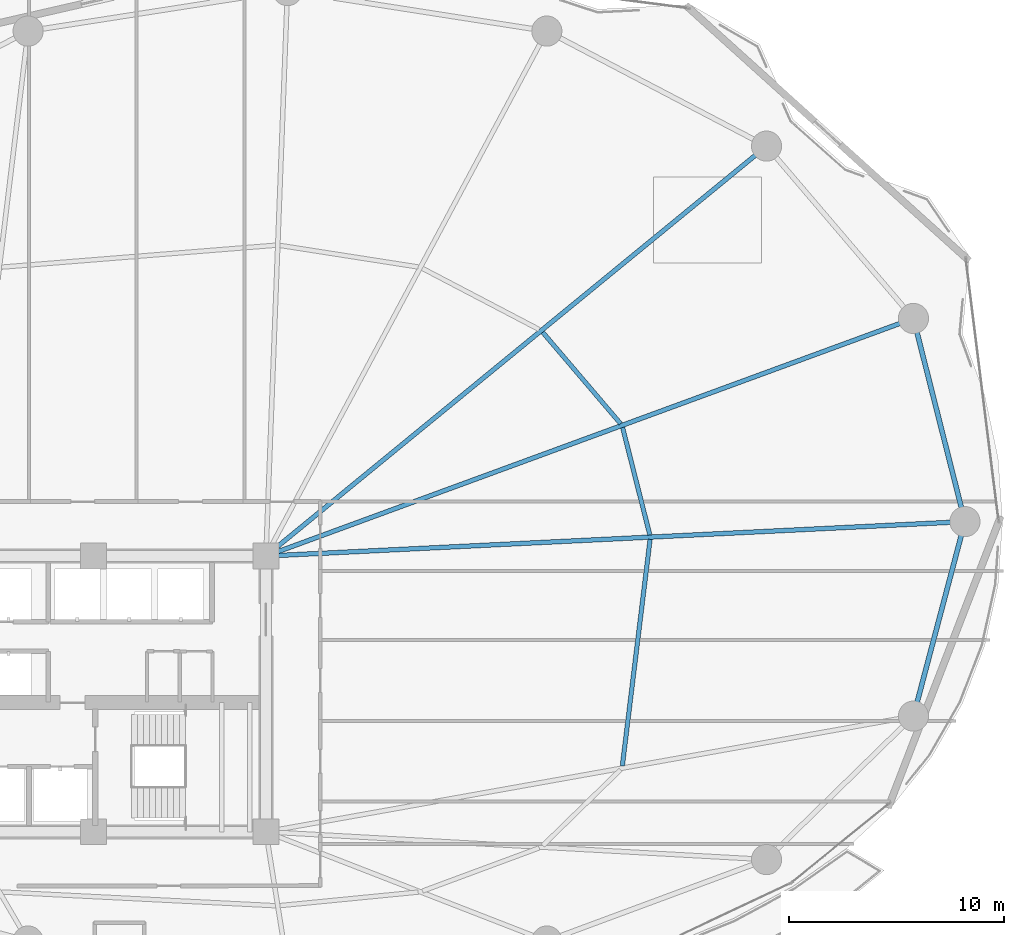
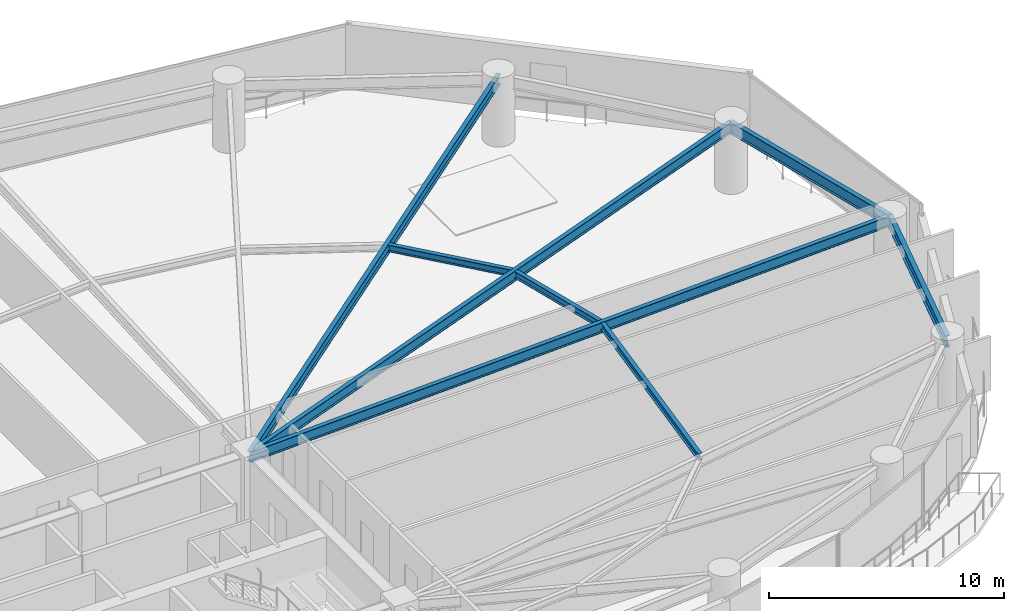
# One storey, part 16 of 30: 8 beams.
"""IFC4 building model written with IfcOpenShell, lengths in metres."""

from ifc_helpers import new_model, si_unit, direction, frame, origin, origin_2d, place, context, subcontext, project, spatial, i_section, extrude, material, material_profile, profile_set, type_object, element, save


model = new_model("IFC4")

# Units and contexts
model_context = context("Model", 3, precision=1e-05, world=origin(), true_north=direction((0.0, 1.0)))
body_context = subcontext(model_context, "Body", "Model", "MODEL_VIEW")
ifc_project = project(units=[si_unit("LENGTHUNIT", "METRE"), si_unit("AREAUNIT", "SQUARE_METRE"), si_unit("VOLUMEUNIT", "CUBIC_METRE"), si_unit("PLANEANGLEUNIT", "RADIAN"), si_unit("MASSUNIT", "GRAM", prefix="KILO")], contexts=[model_context])

# Site, building, storey
site_placement = place(None, origin())
site = spatial("IfcSite", under=ifc_project, at=site_placement, CompositionType="ELEMENT")
building_placement = place(site_placement, origin())
building = spatial("IfcBuilding", under=site, at=building_placement, Name="Kazevale Care Tower and Concert Hall", CompositionType="ELEMENT")
storey_placement = place(building_placement, frame((0.0, 0.0, 70.800048828125)))
storey = spatial("IfcBuildingStorey", under=building, at=storey_placement, Name="L18", CompositionType="ELEMENT", Elevation=70.800048828125)

# Beams
ifc_material = material(Name="Steel ASTM A572 Gr 50", Category="steel")
ifc_material_profile_1 = material_profile(ifc_material, i_section(OverallWidth=0.2119140625, OverallDepth=0.5439453125, WebThickness=0.01318359375, FlangeThickness=0.021240234375, at=origin_2d()), Name="W530x123")
ifc_profile_set_1 = profile_set([ifc_material_profile_1], Name="Steel ASTM A572 Gr 50")
beam_type_1 = type_object("IfcBeamType", Name="Radial Floor Girder W530x123", PredefinedType="BEAM", material=ifc_profile_set_1)
beam_1_placement = place(storey_placement, frame((44.0, 36.39990234375, 3.087890625), z_axis=(0.998786488782, 0.049249871327, 0.0), x_axis=(-0.049249871327, 0.998786488782, 0.0)))
element("IfcBeam", 1, at=beam_1_placement, inside=storey, type_object=beam_type_1, Name="beam:L18:rad:01", PredefinedType="BEAM", context=body_context, shape_type="SweptSolid", body=[
    extrude(i_section(OverallWidth=0.2119140625, OverallDepth=0.5439453125, WebThickness=0.01318359375, FlangeThickness=0.021240234375, at=origin_2d()), origin(), (0.0, 0.0, 1.0), 32.4892578125),
])
beam_2_placement = place(storey_placement, frame((44.0, 36.39990234375, 3.087890625), z_axis=(0.938795458019, 0.34447509054, 0.0), x_axis=(-0.34447509054, 0.938795458019, 0.0)))
element("IfcBeam", 2, at=beam_2_placement, inside=storey, type_object=beam_type_1, Name="beam:L18:rad:02", PredefinedType="BEAM", context=body_context, shape_type="SweptSolid", body=[
    extrude(i_section(OverallWidth=0.2119140625, OverallDepth=0.5439453125, WebThickness=0.01318359375, FlangeThickness=0.021240234375, at=origin_2d()), origin(), (0.0, 0.0, 1.0), 32.019775390625),
])
beam_3_placement = place(storey_placement, frame((44.0, 36.39990234375, 3.087890625), z_axis=(0.773704467398, 0.633546681097, 0.0), x_axis=(-0.633546681097, 0.773704467398, 0.0)))
element("IfcBeam", 3, at=beam_3_placement, inside=storey, type_object=beam_type_1, Name="beam:L18:rad:03", PredefinedType="BEAM", context=body_context, shape_type="SweptSolid", body=[
    extrude(i_section(OverallWidth=0.2119140625, OverallDepth=0.5439453125, WebThickness=0.01318359375, FlangeThickness=0.021240234375, at=origin_2d()), origin(), (0.0, 0.0, 1.0), 30.037353515625),
])
ifc_material_profile_2 = material_profile(ifc_material, i_section(OverallWidth=0.22900390625, OverallDepth=0.612060546875, WebThickness=0.011962890625, FlangeThickness=0.01953125, at=origin_2d()), Name="W610x125")
ifc_profile_set_2 = profile_set([ifc_material_profile_2], Name="Steel ASTM A572 Gr 50")
beam_type_2 = type_object("IfcBeamType", Name="Ring Spandrel Beam W610x125", PredefinedType="SPANDREL", material=ifc_profile_set_2)
beam_4_placement = place(storey_placement, frame((76.449951171875, 38.0, 3.053955078125), z_axis=(-0.245669948409, 0.969353535326, 0.0), x_axis=(-0.969353535326, -0.245669948409, 0.0)))
element("IfcBeam", 4, at=beam_4_placement, inside=storey, type_object=beam_type_2, Name="beam:L18:ring:01", PredefinedType="SPANDREL", context=body_context, shape_type="SweptSolid", body=[
    extrude(i_section(OverallWidth=0.22900390625, OverallDepth=0.612060546875, WebThickness=0.011962890625, FlangeThickness=0.01953125, at=origin_2d()), origin(), (0.0, 0.0, 1.0), 9.72802734375),
])
beam_5_placement = place(storey_placement, frame((74.06005859375, 28.969970703125, 3.053955078125), z_axis=(0.255851611973, 0.966716066201, 0.0), x_axis=(-0.966716066201, 0.255851611973, 0.0)))
element("IfcBeam", 5, at=beam_5_placement, inside=storey, type_object=beam_type_2, Name="beam:L18:ring:16", PredefinedType="SPANDREL", context=body_context, shape_type="SweptSolid", body=[
    extrude(i_section(OverallWidth=0.22900390625, OverallDepth=0.612060546875, WebThickness=0.011962890625, FlangeThickness=0.01953125, at=origin_2d()), origin(), (0.0, 0.0, 1.0), 9.3408203125),
])
ifc_material_profile_3 = material_profile(ifc_material, i_section(OverallWidth=0.205078125, OverallDepth=0.35400390625, WebThickness=0.009521484375, FlangeThickness=0.016845703125, at=origin_2d()), Name="W360x79")
ifc_profile_set_3 = profile_set([ifc_material_profile_3], Name="Steel ASTM A572 Gr 50")
beam_type_3 = type_object("IfcBeamType", Name="Secondary Floor Joist W360x79", PredefinedType="JOIST", material=ifc_profile_set_3)
beam_6_placement = place(storey_placement, frame((61.822021484375, 37.382080078125, 3.182861328125), z_axis=(-0.24568570229, 0.969349542575, 0.0), x_axis=(-0.969349542575, -0.24568570229, 0.0)))
element("IfcBeam", 6, at=beam_6_placement, inside=storey, type_object=beam_type_3, Name="beam:L18:joist:01", PredefinedType="JOIST", context=body_context, shape_type="SweptSolid", body=[
    extrude(i_section(OverallWidth=0.205078125, OverallDepth=0.35400390625, WebThickness=0.009521484375, FlangeThickness=0.016845703125, at=origin_2d()), origin(), (0.0, 0.0, 1.0), 5.140380859375),
])
beam_7_placement = place(storey_placement, frame((60.465087890625, 42.5458984375, 3.182861328125), z_axis=(-0.648685510477, 0.761056573783, 0.0), x_axis=(-0.761056573783, -0.648685510477, 0.0)))
element("IfcBeam", 7, at=beam_7_placement, inside=storey, type_object=beam_type_3, Name="beam:L18:joist:02", PredefinedType="JOIST", context=body_context, shape_type="SweptSolid", body=[
    extrude(i_section(OverallWidth=0.205078125, OverallDepth=0.35400390625, WebThickness=0.009521484375, FlangeThickness=0.016845703125, at=origin_2d()), origin(), (0.0, 0.0, 1.0), 5.57275390625),
])
beam_8_placement = place(storey_placement, frame((60.5458984375, 26.657958984375, 3.182861328125), z_axis=(0.1216468088, 0.992573450133, 0.0), x_axis=(-0.992573450133, 0.1216468088, 0.0)))
element("IfcBeam", 8, at=beam_8_placement, inside=storey, type_object=beam_type_3, Name="beam:L18:joist:16", PredefinedType="JOIST", context=body_context, shape_type="SweptSolid", body=[
    extrude(i_section(OverallWidth=0.205078125, OverallDepth=0.35400390625, WebThickness=0.009521484375, FlangeThickness=0.016845703125, at=origin_2d()), origin(), (0.0, 0.0, 1.0), 10.5966796875),
])

save(model, "model.ifc")
